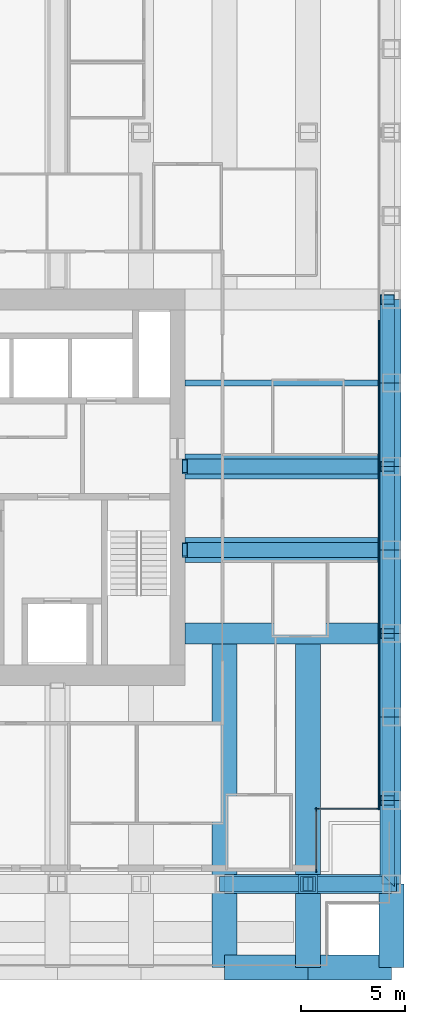
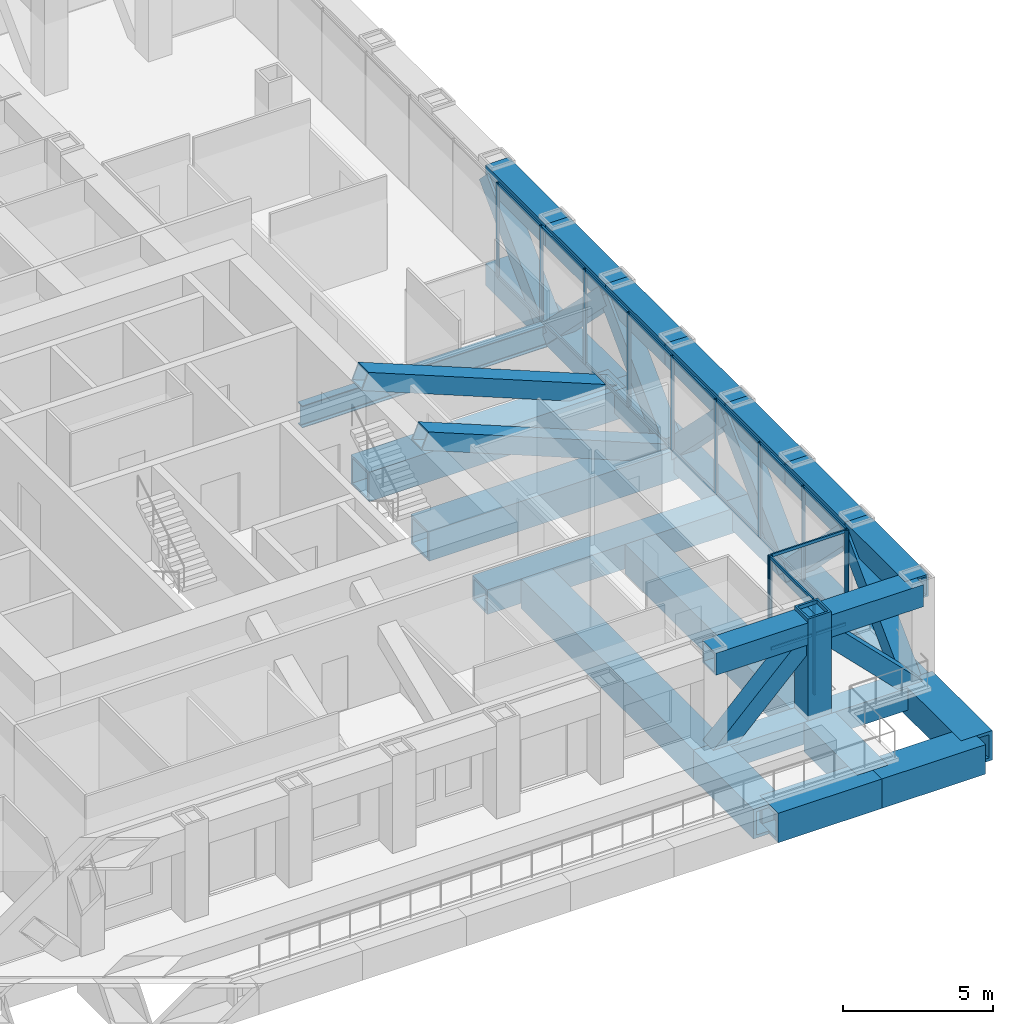
# One storey, part 5 of 16: 45 members, 28 beams, 3 elements without a shape of their own.
"""IFC4 building model written with IfcOpenShell, lengths in metres."""

from ifc_helpers import new_model, si_unit, direction, frame, origin, origin_2d, place, context, subcontext, project, spatial, rectangle, hollow_rectangle, i_section, extrude, material, material_profile, profile_set, type_object, element, aggregate, save


model = new_model("IFC4")

# Units and contexts
model_context = context("Model", 3, precision=1e-05, world=origin(), true_north=direction((0.0, 1.0)))
body_context = subcontext(model_context, "Body", "Model", "MODEL_VIEW")
ifc_project = project(units=[si_unit("LENGTHUNIT", "METRE"), si_unit("AREAUNIT", "SQUARE_METRE"), si_unit("VOLUMEUNIT", "CUBIC_METRE"), si_unit("PLANEANGLEUNIT", "RADIAN"), si_unit("MASSUNIT", "GRAM", prefix="KILO")], contexts=[model_context])

# Site, building, storey
site_placement = place(None, origin())
site = spatial("IfcSite", under=ifc_project, at=site_placement, CompositionType="ELEMENT")
building_placement = place(site_placement, origin())
building = spatial("IfcBuilding", under=site, at=building_placement, Name="Rimbunsela Tower", CompositionType="ELEMENT")
storey_placement = place(building_placement, frame((0.0, 0.0, 171.800048828125)))
storey = spatial("IfcBuildingStorey", under=building, at=storey_placement, Name="L41", CompositionType="ELEMENT", Elevation=171.800048828125)

# Beams
ifc_material_1 = material(Name="Steel BJ 55 (fy 410 MPa)", Category="steel")
ifc_material_profile_1 = material_profile(ifc_material_1, hollow_rectangle(XDim=1.0, YDim=1.0, WallThickness=0.10009765625, at=origin_2d()), Name="BOX 1000x1000x100")
ifc_profile_set_1 = profile_set([ifc_material_profile_1], Name="Steel BJ 55 (fy 410 MPa)")
beam_type_1 = type_object("IfcBeamType", Name="Beam BOX 1000x1000x100", PredefinedType="BEAM", material=ifc_profile_set_1)
beam_1_placement = place(storey_placement, frame((36.10009765625, 20.0, -0.650146484375), z_axis=(1.0, 0.0, 0.0), x_axis=(0.0, 1.0, 0.0)))
element("IfcBeam", 1, at=beam_1_placement, inside=storey, type_object=beam_type_1, Name="Beam B3 L41", PredefinedType="BEAM", context=body_context, shape_type="SweptSolid", body=[
    extrude(hollow_rectangle(XDim=1.0, YDim=1.0, WallThickness=0.10009765625, at=origin_2d()), origin(), (0.0, 0.0, 1.0), 9.89990234375),
])
ifc_material_2 = material(Name="Steel BJ 55 (fy 410 MPa)", Category="steel")
ifc_material_profile_2 = material_profile(ifc_material_2, hollow_rectangle(XDim=1.199951171875, YDim=1.199951171875, WallThickness=0.10009765625, at=origin_2d()), Name="BOX 1200x1200x100")
ifc_profile_set_2 = profile_set([ifc_material_profile_2], Name="Steel BJ 55 (fy 410 MPa)")
beam_type_2 = type_object("IfcBeamType", Name="Beam BOX 1200x1200x100", PredefinedType="BEAM", material=ifc_profile_set_2)
for number, where, z_axis, x_axis, name in (
    (2, (36.10009765625, 24.0, -0.75), (1.0, 0.0, 0.0), (0.0, 1.0, 0.0), "Beam B5 L41"),
    (3, (36.10009765625, 28.0, -0.75), (1.0, 0.0, 0.0), (0.0, 1.0, 0.0), "Beam B5 L41"),
):
    element("IfcBeam", number, at=place(storey_placement, frame(where, z_axis=z_axis, x_axis=x_axis)), inside=storey, type_object=beam_type_2, Name=name, PredefinedType="BEAM", context=body_context, shape_type="SweptSolid", body=[
        extrude(hollow_rectangle(XDim=1.199951171875, YDim=1.199951171875, WallThickness=0.10009765625, at=origin_2d()), origin(), (0.0, 0.0, 1.0), 9.89990234375),
    ])
beam_2_placement = place(storey_placement, frame((38.0, 8.0, -0.75), z_axis=(0.0, 1.0, 0.0), x_axis=(-1.0, 0.0, 0.0)))
element("IfcBeam", 4, at=beam_2_placement, inside=storey, type_object=beam_type_2, Name="Beam B5 L41", PredefinedType="BEAM", context=body_context, shape_type="SweptSolid", body=[
    extrude(hollow_rectangle(XDim=1.199951171875, YDim=1.199951171875, WallThickness=0.10009765625, at=origin_2d()), origin(), (0.0, 0.0, 1.0), 11.5),
])
ifc_material_3 = material(Name="Steel BJ 55 (fy 410 MPa)", Category="steel")
ifc_material_profile_3 = material_profile(ifc_material_3, hollow_rectangle(XDim=1.199951171875, YDim=1.199951171875, WallThickness=0.125, at=origin_2d()), Name="BOX 1200x1200x125")
ifc_profile_set_3 = profile_set([ifc_material_profile_3], Name="Steel BJ 55 (fy 410 MPa)")
beam_type_3 = type_object("IfcBeamType", Name="Beam BOX 1200x1200x125", PredefinedType="BEAM", material=ifc_profile_set_3)
for number, where, z_axis, x_axis, name in (
    (5, (38.0, 4.0, -0.75), (0.0, 1.0, 0.0), (-1.0, 0.0, 0.0), "Beam B4 L41"),
    (6, (38.0, 4.0, -0.75), (1.0, 0.0, 0.0), (0.0, 1.0, 0.0), "Beam B4 L41"),
):
    element("IfcBeam", number, at=place(storey_placement, frame(where, z_axis=z_axis, x_axis=x_axis)), inside=storey, type_object=beam_type_3, Name=name, PredefinedType="BEAM", context=body_context, shape_type="SweptSolid", body=[
        extrude(hollow_rectangle(XDim=1.199951171875, YDim=1.199951171875, WallThickness=0.125, at=origin_2d()), origin(), (0.0, 0.0, 1.0), 4.0),
    ])
beam_3_placement = place(storey_placement, frame((42.0, 4.0, -0.75), z_axis=(0.0, 1.0, 0.0), x_axis=(-1.0, 0.0, 0.0)))
element("IfcBeam", 7, at=beam_3_placement, inside=storey, type_object=beam_type_3, Name="Beam B4 L41", PredefinedType="BEAM", context=body_context, shape_type="SweptSolid", body=[
    extrude(hollow_rectangle(XDim=1.199951171875, YDim=1.199951171875, WallThickness=0.125, at=origin_2d()), origin(), (0.0, 0.0, 1.0), 3.550048828125),
])
beam_4_placement = place(storey_placement, frame((42.0, 4.0, -0.75), z_axis=(1.0, 0.0, 0.0), x_axis=(0.0, 1.0, 0.0)))
element("IfcBeam", 8, at=beam_4_placement, inside=storey, type_object=beam_type_3, Name="Beam B4 L41", PredefinedType="BEAM", context=body_context, shape_type="SweptSolid", body=[
    extrude(hollow_rectangle(XDim=1.199951171875, YDim=1.199951171875, WallThickness=0.125, at=origin_2d()), origin(), (0.0, 0.0, 1.0), 4.0),
])
beam_5_placement = place(storey_placement, frame((42.0, 8.449951171875, -0.75), z_axis=(0.0, 1.0, 0.0), x_axis=(-1.0, 0.0, 0.0)))
element("IfcBeam", 9, at=beam_5_placement, inside=storey, type_object=beam_type_3, Name="Beam B4 L41", PredefinedType="BEAM", context=body_context, shape_type="SweptSolid", body=[
    extrude(hollow_rectangle(XDim=1.199951171875, YDim=1.199951171875, WallThickness=0.125, at=origin_2d()), origin(), (0.0, 0.0, 1.0), 11.050048828125),
])
beam_6_placement = place(storey_placement, frame((46.0, 4.0, -0.75), z_axis=(0.0, 1.0, 0.0), x_axis=(-1.0, 0.0, 0.0)))
element("IfcBeam", 10, at=beam_6_placement, inside=storey, type_object=beam_type_3, Name="Beam B4 L41", PredefinedType="BEAM", context=body_context, shape_type="SweptSolid", body=[
    extrude(hollow_rectangle(XDim=1.199951171875, YDim=1.199951171875, WallThickness=0.125, at=origin_2d()), origin(), (0.0, 0.0, 1.0), 4.0),
])
ifc_material_4 = material(Name="Steel BJ 55 (fy 410 MPa)", Category="steel")
ifc_material_profile_4 = material_profile(ifc_material_4, i_section(OverallWidth=0.300048828125, OverallDepth=0.89990234375, WebThickness=0.01611328125, FlangeThickness=0.028076171875, FilletRadius=0.028076171875, at=origin_2d()), Name="H 900x300x16x28")
ifc_profile_set_4 = profile_set([ifc_material_profile_4], Name="Steel BJ 55 (fy 410 MPa)")
beam_type_4 = type_object("IfcBeamType", Name="Beam H 900x300x16x28", PredefinedType="BEAM", material=ifc_profile_set_4)
beam_7_placement = place(storey_placement, frame((36.10009765625, 32.0, -0.60009765625), z_axis=(1.0, 0.0, 0.0), x_axis=(0.0, 1.0, 0.0)))
element("IfcBeam", 11, at=beam_7_placement, inside=storey, type_object=beam_type_4, Name="Beam B2 L41", PredefinedType="BEAM", context=body_context, shape_type="SweptSolid", body=[
    extrude(i_section(OverallWidth=0.300048828125, OverallDepth=0.89990234375, WebThickness=0.01611328125, FlangeThickness=0.028076171875, FilletRadius=0.028076171875, at=origin_2d()), origin(), (0.0, 0.0, 1.0), 9.89990234375),
])

# Curtain wall, members
ifc_material_5 = material(Name="Aluminium curtain wall", Category="aluminium")
curtain_wall_type_1 = type_object("IfcCurtainWallType", Name="Corner glazing", PredefinedType="USERDEFINED", material=ifc_material_5)
curtain_wall_1_placement = place(storey_placement, origin())
curtain_wall_1 = element("IfcCurtainWall", 12, at=curtain_wall_1_placement, inside=storey, type_object=curtain_wall_type_1, Name="Corner glazing L41", ObjectType="CORNER GLAZING", PredefinedType="USERDEFINED")
ifc_material_6 = material(Name="Aluminium mullion", Category="aluminium")
ifc_material_profile_5 = material_profile(ifc_material_6, rectangle(XDim=0.06005859375, YDim=0.159912109375, at=origin_2d()), Name="Mullion 60x160")
ifc_profile_set_5 = profile_set([ifc_material_profile_5], Name="Aluminium mullion")
member_type_1 = type_object("IfcMemberType", Name="Curtain wall mullion 60x160", PredefinedType="MULLION", material=ifc_profile_set_5)
member_1_placement = place(storey_placement, frame((42.39990234375, 8.6298828125, 0.0), z_axis=(0.0, 0.0, 1.0), x_axis=(-1.0, 0.0, 0.0)))
member_1 = element("IfcMember", 13, at=member_1_placement, type_object=member_type_1, Name="CW5 mullion 1", PredefinedType="MULLION", context=body_context, shape_type="SweptSolid", body=[
    extrude(rectangle(XDim=0.06005859375, YDim=0.159912109375, at=origin_2d()), origin(), (0.0, 0.0, 1.0), 3.849853515625),
])
member_2_placement = place(storey_placement, frame((42.39990234375, 11.570068359375, 0.0), z_axis=(0.0, 0.0, 1.0), x_axis=(-1.0, 0.0, 0.0)))
member_2 = element("IfcMember", 14, at=member_2_placement, type_object=member_type_1, Name="CW5 mullion 2", PredefinedType="MULLION", context=body_context, shape_type="SweptSolid", body=[
    extrude(rectangle(XDim=0.06005859375, YDim=0.159912109375, at=origin_2d()), origin(), (0.0, 0.0, 1.0), 3.849853515625),
])

curtain_wall_2_placement = place(storey_placement, origin())
curtain_wall_2 = element("IfcCurtainWall", 15, at=curtain_wall_2_placement, inside=storey, type_object=curtain_wall_type_1, Name="Corner glazing L41", ObjectType="CORNER GLAZING", PredefinedType="USERDEFINED")
member_3_placement = place(storey_placement, frame((42.429931640625, 11.60009765625, 0.0), z_axis=(0.0, 0.0, 1.0), x_axis=(0.0, 1.0, 0.0)))
member_3 = element("IfcMember", 16, at=member_3_placement, type_object=member_type_1, Name="CW5 mullion 1", PredefinedType="MULLION", context=body_context, shape_type="SweptSolid", body=[
    extrude(rectangle(XDim=0.06005859375, YDim=0.159912109375, at=origin_2d()), origin(), (0.0, 0.0, 1.0), 3.849853515625),
])
member_4_placement = place(storey_placement, frame((45.3701171875, 11.60009765625, 0.0), z_axis=(0.0, 0.0, 1.0), x_axis=(0.0, 1.0, 0.0)))
member_4 = element("IfcMember", 17, at=member_4_placement, type_object=member_type_1, Name="CW5 mullion 2", PredefinedType="MULLION", context=body_context, shape_type="SweptSolid", body=[
    extrude(rectangle(XDim=0.06005859375, YDim=0.159912109375, at=origin_2d()), origin(), (0.0, 0.0, 1.0), 3.849853515625),
])

ifc_material_7 = material(Name="Aluminium curtain wall", Category="aluminium")
curtain_wall_type_2 = type_object("IfcCurtainWallType", Name="Exoskeleton storey infill", PredefinedType="USERDEFINED", material=ifc_material_7)
curtain_wall_3_placement = place(storey_placement, origin())
curtain_wall_3 = element("IfcCurtainWall", 18, at=curtain_wall_3_placement, inside=storey, type_object=curtain_wall_type_2, Name="Exoskeleton storey infill L41", ObjectType="EXOSKELETON STOREY INFILL", PredefinedType="USERDEFINED")
member_5_placement = place(storey_placement, frame((45.39990234375, 11.6298828125, 0.0), z_axis=(0.0, 0.0, 1.0), x_axis=(-1.0, 0.0, 0.0)))
member_5 = element("IfcMember", 19, at=member_5_placement, type_object=member_type_1, Name="CW2 mullion 1", PredefinedType="MULLION", context=body_context, shape_type="SweptSolid", body=[
    extrude(rectangle(XDim=0.06005859375, YDim=0.159912109375, at=origin_2d()), origin(), (0.0, 0.0, 1.0), 3.849853515625),
])
member_6_placement = place(storey_placement, frame((45.39990234375, 14.514404296875, 0.0), z_axis=(0.0, 0.0, 1.0), x_axis=(-1.0, 0.0, 0.0)))
member_6 = element("IfcMember", 20, at=member_6_placement, type_object=member_type_1, Name="CW2 mullion 2", PredefinedType="MULLION", context=body_context, shape_type="SweptSolid", body=[
    extrude(rectangle(XDim=0.06005859375, YDim=0.159912109375, at=origin_2d()), origin(), (0.0, 0.0, 1.0), 3.849853515625),
])
member_7_placement = place(storey_placement, frame((45.39990234375, 17.428466796875, 0.0), z_axis=(0.0, 0.0, 1.0), x_axis=(-1.0, 0.0, 0.0)))
member_7 = element("IfcMember", 21, at=member_7_placement, type_object=member_type_1, Name="CW2 mullion 3", PredefinedType="MULLION", context=body_context, shape_type="SweptSolid", body=[
    extrude(rectangle(XDim=0.06005859375, YDim=0.159912109375, at=origin_2d()), origin(), (0.0, 0.0, 1.0), 3.849853515625),
])
member_8_placement = place(storey_placement, frame((45.39990234375, 20.3427734375, 0.0), z_axis=(0.0, 0.0, 1.0), x_axis=(-1.0, 0.0, 0.0)))
member_8 = element("IfcMember", 22, at=member_8_placement, type_object=member_type_1, Name="CW2 mullion 4", PredefinedType="MULLION", context=body_context, shape_type="SweptSolid", body=[
    extrude(rectangle(XDim=0.06005859375, YDim=0.159912109375, at=origin_2d()), origin(), (0.0, 0.0, 1.0), 3.849853515625),
])
member_9_placement = place(storey_placement, frame((45.39990234375, 23.257080078125, 0.0), z_axis=(0.0, 0.0, 1.0), x_axis=(-1.0, 0.0, 0.0)))
member_9 = element("IfcMember", 23, at=member_9_placement, type_object=member_type_1, Name="CW2 mullion 5", PredefinedType="MULLION", context=body_context, shape_type="SweptSolid", body=[
    extrude(rectangle(XDim=0.06005859375, YDim=0.159912109375, at=origin_2d()), origin(), (0.0, 0.0, 1.0), 3.849853515625),
])
member_10_placement = place(storey_placement, frame((45.39990234375, 26.17138671875, 0.0), z_axis=(0.0, 0.0, 1.0), x_axis=(-1.0, 0.0, 0.0)))
member_10 = element("IfcMember", 24, at=member_10_placement, type_object=member_type_1, Name="CW2 mullion 6", PredefinedType="MULLION", context=body_context, shape_type="SweptSolid", body=[
    extrude(rectangle(XDim=0.06005859375, YDim=0.159912109375, at=origin_2d()), origin(), (0.0, 0.0, 1.0), 3.849853515625),
])
member_11_placement = place(storey_placement, frame((45.39990234375, 29.085693359375, 0.0), z_axis=(0.0, 0.0, 1.0), x_axis=(-1.0, 0.0, 0.0)))
member_11 = element("IfcMember", 25, at=member_11_placement, type_object=member_type_1, Name="CW2 mullion 7", PredefinedType="MULLION", context=body_context, shape_type="SweptSolid", body=[
    extrude(rectangle(XDim=0.06005859375, YDim=0.159912109375, at=origin_2d()), origin(), (0.0, 0.0, 1.0), 3.849853515625),
])
member_12_placement = place(storey_placement, frame((45.39990234375, 32.0, 0.0), z_axis=(0.0, 0.0, 1.0), x_axis=(-1.0, 0.0, 0.0)))
member_12 = element("IfcMember", 26, at=member_12_placement, type_object=member_type_1, Name="CW2 mullion 8", PredefinedType="MULLION", context=body_context, shape_type="SweptSolid", body=[
    extrude(rectangle(XDim=0.06005859375, YDim=0.159912109375, at=origin_2d()), origin(), (0.0, 0.0, 1.0), 3.849853515625),
])
member_13_placement = place(storey_placement, frame((45.39990234375, 34.914306640625, 0.0), z_axis=(0.0, 0.0, 1.0), x_axis=(-1.0, 0.0, 0.0)))
member_13 = element("IfcMember", 27, at=member_13_placement, type_object=member_type_1, Name="CW2 mullion 9", PredefinedType="MULLION", context=body_context, shape_type="SweptSolid", body=[
    extrude(rectangle(XDim=0.06005859375, YDim=0.159912109375, at=origin_2d()), origin(), (0.0, 0.0, 1.0), 3.849853515625),
])

# Member
ifc_material_8 = material(Name="Aluminium transom", Category="aluminium")
ifc_material_profile_6 = material_profile(ifc_material_8, rectangle(XDim=0.06005859375, YDim=0.1201171875, at=origin_2d()), Name="Transom 60x120")
ifc_profile_set_6 = profile_set([ifc_material_profile_6], Name="Aluminium transom")
member_type_2 = type_object("IfcMemberType", Name="Curtain wall transom 60x120", PredefinedType="USERDEFINED", material=ifc_profile_set_6)
member_14_placement = place(storey_placement, frame((42.39990234375, 8.659912109375, 0.030029296875), z_axis=(0.0, 1.0, 0.0), x_axis=(-1.0, 0.0, 0.0)))
member_14 = element("IfcMember", 28, at=member_14_placement, type_object=member_type_2, Name="CW5 transom 1.1", ObjectType="TRANSOM", PredefinedType="USERDEFINED", context=body_context, shape_type="SweptSolid", body=[
    extrude(rectangle(XDim=0.06005859375, YDim=0.1201171875, at=origin_2d()), origin(), (0.0, 0.0, 1.0), 2.880126953125),
])

member_15_placement = place(storey_placement, frame((42.39990234375, 8.659912109375, 3.820068359375), z_axis=(0.0, 1.0, 0.0), x_axis=(-1.0, 0.0, 0.0)))
member_15 = element("IfcMember", 29, at=member_15_placement, type_object=member_type_2, Name="CW5 transom 1.2", ObjectType="TRANSOM", PredefinedType="USERDEFINED", context=body_context, shape_type="SweptSolid", body=[
    extrude(rectangle(XDim=0.06005859375, YDim=0.1201171875, at=origin_2d()), origin(), (0.0, 0.0, 1.0), 2.880126953125),
])

aggregate(curtain_wall_1, [member_1, member_2, member_14, member_15])

member_16_placement = place(storey_placement, frame((42.4599609375, 11.60009765625, 0.030029296875), z_axis=(1.0, 0.0, 0.0), x_axis=(0.0, 1.0, 0.0)))
member_16 = element("IfcMember", 30, at=member_16_placement, type_object=member_type_2, Name="CW5 transom 1.1", ObjectType="TRANSOM", PredefinedType="USERDEFINED", context=body_context, shape_type="SweptSolid", body=[
    extrude(rectangle(XDim=0.06005859375, YDim=0.1201171875, at=origin_2d()), origin(), (0.0, 0.0, 1.0), 2.880126953125),
])

member_17_placement = place(storey_placement, frame((42.4599609375, 11.60009765625, 3.820068359375), z_axis=(1.0, 0.0, 0.0), x_axis=(0.0, 1.0, 0.0)))
member_17 = element("IfcMember", 31, at=member_17_placement, type_object=member_type_2, Name="CW5 transom 1.2", ObjectType="TRANSOM", PredefinedType="USERDEFINED", context=body_context, shape_type="SweptSolid", body=[
    extrude(rectangle(XDim=0.06005859375, YDim=0.1201171875, at=origin_2d()), origin(), (0.0, 0.0, 1.0), 2.880126953125),
])

aggregate(curtain_wall_2, [member_3, member_4, member_16, member_17])

member_18_placement = place(storey_placement, frame((45.39990234375, 11.659912109375, 0.030029296875), z_axis=(0.0, 1.0, 0.0), x_axis=(-1.0, 0.0, 0.0)))
member_18 = element("IfcMember", 32, at=member_18_placement, type_object=member_type_2, Name="CW2 transom 1.1", ObjectType="TRANSOM", PredefinedType="USERDEFINED", context=body_context, shape_type="SweptSolid", body=[
    extrude(rectangle(XDim=0.06005859375, YDim=0.1201171875, at=origin_2d()), origin(), (0.0, 0.0, 1.0), 2.824462890625),
])

member_19_placement = place(storey_placement, frame((45.39990234375, 11.659912109375, 3.820068359375), z_axis=(0.0, 1.0, 0.0), x_axis=(-1.0, 0.0, 0.0)))
member_19 = element("IfcMember", 33, at=member_19_placement, type_object=member_type_2, Name="CW2 transom 1.2", ObjectType="TRANSOM", PredefinedType="USERDEFINED", context=body_context, shape_type="SweptSolid", body=[
    extrude(rectangle(XDim=0.06005859375, YDim=0.1201171875, at=origin_2d()), origin(), (0.0, 0.0, 1.0), 2.824462890625),
])

member_20_placement = place(storey_placement, frame((45.39990234375, 14.544189453125, 0.030029296875), z_axis=(0.0, 1.0, 0.0), x_axis=(-1.0, 0.0, 0.0)))
member_20 = element("IfcMember", 34, at=member_20_placement, type_object=member_type_2, Name="CW2 transom 2.1", ObjectType="TRANSOM", PredefinedType="USERDEFINED", context=body_context, shape_type="SweptSolid", body=[
    extrude(rectangle(XDim=0.06005859375, YDim=0.1201171875, at=origin_2d()), origin(), (0.0, 0.0, 1.0), 2.8544921875),
])

member_21_placement = place(storey_placement, frame((45.39990234375, 14.544189453125, 3.820068359375), z_axis=(0.0, 1.0, 0.0), x_axis=(-1.0, 0.0, 0.0)))
member_21 = element("IfcMember", 35, at=member_21_placement, type_object=member_type_2, Name="CW2 transom 2.2", ObjectType="TRANSOM", PredefinedType="USERDEFINED", context=body_context, shape_type="SweptSolid", body=[
    extrude(rectangle(XDim=0.06005859375, YDim=0.1201171875, at=origin_2d()), origin(), (0.0, 0.0, 1.0), 2.8544921875),
])

member_22_placement = place(storey_placement, frame((45.39990234375, 17.45849609375, 0.030029296875), z_axis=(0.0, 1.0, 0.0), x_axis=(-1.0, 0.0, 0.0)))
member_22 = element("IfcMember", 36, at=member_22_placement, type_object=member_type_2, Name="CW2 transom 3.1", ObjectType="TRANSOM", PredefinedType="USERDEFINED", context=body_context, shape_type="SweptSolid", body=[
    extrude(rectangle(XDim=0.06005859375, YDim=0.1201171875, at=origin_2d()), origin(), (0.0, 0.0, 1.0), 2.854248046875),
])

member_23_placement = place(storey_placement, frame((45.39990234375, 17.45849609375, 3.820068359375), z_axis=(0.0, 1.0, 0.0), x_axis=(-1.0, 0.0, 0.0)))
member_23 = element("IfcMember", 37, at=member_23_placement, type_object=member_type_2, Name="CW2 transom 3.2", ObjectType="TRANSOM", PredefinedType="USERDEFINED", context=body_context, shape_type="SweptSolid", body=[
    extrude(rectangle(XDim=0.06005859375, YDim=0.1201171875, at=origin_2d()), origin(), (0.0, 0.0, 1.0), 2.854248046875),
])

member_24_placement = place(storey_placement, frame((45.39990234375, 20.372802734375, 0.030029296875), z_axis=(0.0, 1.0, 0.0), x_axis=(-1.0, 0.0, 0.0)))
member_24 = element("IfcMember", 38, at=member_24_placement, type_object=member_type_2, Name="CW2 transom 4.1", ObjectType="TRANSOM", PredefinedType="USERDEFINED", context=body_context, shape_type="SweptSolid", body=[
    extrude(rectangle(XDim=0.06005859375, YDim=0.1201171875, at=origin_2d()), origin(), (0.0, 0.0, 1.0), 2.854248046875),
])

member_25_placement = place(storey_placement, frame((45.39990234375, 20.372802734375, 3.820068359375), z_axis=(0.0, 1.0, 0.0), x_axis=(-1.0, 0.0, 0.0)))
member_25 = element("IfcMember", 39, at=member_25_placement, type_object=member_type_2, Name="CW2 transom 4.2", ObjectType="TRANSOM", PredefinedType="USERDEFINED", context=body_context, shape_type="SweptSolid", body=[
    extrude(rectangle(XDim=0.06005859375, YDim=0.1201171875, at=origin_2d()), origin(), (0.0, 0.0, 1.0), 2.854248046875),
])

member_26_placement = place(storey_placement, frame((45.39990234375, 23.287109375, 0.030029296875), z_axis=(0.0, 1.0, 0.0), x_axis=(-1.0, 0.0, 0.0)))
member_26 = element("IfcMember", 40, at=member_26_placement, type_object=member_type_2, Name="CW2 transom 5.1", ObjectType="TRANSOM", PredefinedType="USERDEFINED", context=body_context, shape_type="SweptSolid", body=[
    extrude(rectangle(XDim=0.06005859375, YDim=0.1201171875, at=origin_2d()), origin(), (0.0, 0.0, 1.0), 2.854248046875),
])

member_27_placement = place(storey_placement, frame((45.39990234375, 23.287109375, 3.820068359375), z_axis=(0.0, 1.0, 0.0), x_axis=(-1.0, 0.0, 0.0)))
member_27 = element("IfcMember", 41, at=member_27_placement, type_object=member_type_2, Name="CW2 transom 5.2", ObjectType="TRANSOM", PredefinedType="USERDEFINED", context=body_context, shape_type="SweptSolid", body=[
    extrude(rectangle(XDim=0.06005859375, YDim=0.1201171875, at=origin_2d()), origin(), (0.0, 0.0, 1.0), 2.854248046875),
])

member_28_placement = place(storey_placement, frame((45.39990234375, 26.201416015625, 0.030029296875), z_axis=(0.0, 1.0, 0.0), x_axis=(-1.0, 0.0, 0.0)))
member_28 = element("IfcMember", 42, at=member_28_placement, type_object=member_type_2, Name="CW2 transom 6.1", ObjectType="TRANSOM", PredefinedType="USERDEFINED", context=body_context, shape_type="SweptSolid", body=[
    extrude(rectangle(XDim=0.06005859375, YDim=0.1201171875, at=origin_2d()), origin(), (0.0, 0.0, 1.0), 2.854248046875),
])

member_29_placement = place(storey_placement, frame((45.39990234375, 26.201416015625, 3.820068359375), z_axis=(0.0, 1.0, 0.0), x_axis=(-1.0, 0.0, 0.0)))
member_29 = element("IfcMember", 43, at=member_29_placement, type_object=member_type_2, Name="CW2 transom 6.2", ObjectType="TRANSOM", PredefinedType="USERDEFINED", context=body_context, shape_type="SweptSolid", body=[
    extrude(rectangle(XDim=0.06005859375, YDim=0.1201171875, at=origin_2d()), origin(), (0.0, 0.0, 1.0), 2.854248046875),
])

member_30_placement = place(storey_placement, frame((45.39990234375, 29.11572265625, 0.030029296875), z_axis=(0.0, 1.0, 0.0), x_axis=(-1.0, 0.0, 0.0)))
member_30 = element("IfcMember", 44, at=member_30_placement, type_object=member_type_2, Name="CW2 transom 7.1", ObjectType="TRANSOM", PredefinedType="USERDEFINED", context=body_context, shape_type="SweptSolid", body=[
    extrude(rectangle(XDim=0.06005859375, YDim=0.1201171875, at=origin_2d()), origin(), (0.0, 0.0, 1.0), 2.854248046875),
])

member_31_placement = place(storey_placement, frame((45.39990234375, 29.11572265625, 3.820068359375), z_axis=(0.0, 1.0, 0.0), x_axis=(-1.0, 0.0, 0.0)))
member_31 = element("IfcMember", 45, at=member_31_placement, type_object=member_type_2, Name="CW2 transom 7.2", ObjectType="TRANSOM", PredefinedType="USERDEFINED", context=body_context, shape_type="SweptSolid", body=[
    extrude(rectangle(XDim=0.06005859375, YDim=0.1201171875, at=origin_2d()), origin(), (0.0, 0.0, 1.0), 2.854248046875),
])

member_32_placement = place(storey_placement, frame((45.39990234375, 32.030029296875, 0.030029296875), z_axis=(0.0, 1.0, 0.0), x_axis=(-1.0, 0.0, 0.0)))
member_32 = element("IfcMember", 46, at=member_32_placement, type_object=member_type_2, Name="CW2 transom 8.1", ObjectType="TRANSOM", PredefinedType="USERDEFINED", context=body_context, shape_type="SweptSolid", body=[
    extrude(rectangle(XDim=0.06005859375, YDim=0.1201171875, at=origin_2d()), origin(), (0.0, 0.0, 1.0), 2.854248046875),
])

member_33_placement = place(storey_placement, frame((45.39990234375, 32.030029296875, 3.820068359375), z_axis=(0.0, 1.0, 0.0), x_axis=(-1.0, 0.0, 0.0)))
member_33 = element("IfcMember", 47, at=member_33_placement, type_object=member_type_2, Name="CW2 transom 8.2", ObjectType="TRANSOM", PredefinedType="USERDEFINED", context=body_context, shape_type="SweptSolid", body=[
    extrude(rectangle(XDim=0.06005859375, YDim=0.1201171875, at=origin_2d()), origin(), (0.0, 0.0, 1.0), 2.854248046875),
])

aggregate(curtain_wall_3, [member_5, member_6, member_7, member_8, member_9, member_10, member_11, member_12, member_13, member_18, member_19, member_20, member_21, member_22, member_23, member_24, member_25, member_26, member_27, member_28, member_29, member_30, member_31, member_32, member_33])

# Members
ifc_material_9 = material(Name="Steel BJ 55 (fy 410 MPa)", Category="steel")
ifc_material_profile_7 = material_profile(ifc_material_9, hollow_rectangle(XDim=0.699951171875, YDim=0.699951171875, WallThickness=0.050048828125, at=origin_2d()), Name="BOX 700x700x50")
ifc_profile_set_7 = profile_set([ifc_material_profile_7], Name="Steel BJ 55 (fy 410 MPa)")
member_type_3 = type_object("IfcMemberType", Name="Outrigger brace BOX 700x700x50", PredefinedType="BRACE", material=ifc_profile_set_7)
for number, where, z_axis, x_axis, name in (
    (48, (46.0, 28.0, -0.60009765625), (-0.927178005054, 0.0, 0.374621071142), (0.0, -1.0, 0.0), "Outrigger brace OB2 E L41"),
    (49, (46.0, 24.0, -0.60009765625), (-0.927178005054, 0.0, 0.374621071142), (0.0, -1.0, 0.0), "Outrigger brace OB2 E L41"),
):
    element("IfcMember", number, at=place(storey_placement, frame(where, z_axis=z_axis, x_axis=x_axis)), inside=storey, type_object=member_type_3, Name=name, PredefinedType="BRACE", context=body_context, shape_type="SweptSolid", body=[
        extrude(hollow_rectangle(XDim=0.699951171875, YDim=0.699951171875, WallThickness=0.050048828125, at=origin_2d()), origin(), (0.0, 0.0, 1.0), 10.677490234375),
    ])

# Beams
ifc_material_10 = material(Name="Steel BJ 55 (fy 410 MPa)", Category="steel")
ifc_material_profile_8 = material_profile(ifc_material_10, hollow_rectangle(XDim=0.89990234375, YDim=0.89990234375, WallThickness=0.080078125, at=origin_2d()), Name="BOX 900x900x80")
ifc_profile_set_8 = profile_set([ifc_material_profile_8], Name="Steel BJ 55 (fy 410 MPa)")
beam_type_5 = type_object("IfcBeamType", Name="Truss chord BOX 900x900x80", PredefinedType="USERDEFINED", material=ifc_profile_set_8)
for number, where, z_axis, x_axis, name in (
    (50, (38.0, 8.0, 3.39990234375), (1.0, 0.0, 0.0), (0.0, 1.0, 0.0), "Truss top chord TC3 S face L41"),
    (51, (42.0, 8.0, 3.39990234375), (1.0, 0.0, 0.0), (0.0, 1.0, 0.0), "Truss top chord TC3 S face L41"),
    (52, (46.0, 8.0, 3.39990234375), (0.0, 1.0, 0.0), (-1.0, 0.0, 0.0), "Truss top chord TC3 E face L41"),
    (53, (46.0, 12.0, 3.39990234375), (0.0, 1.0, 0.0), (-1.0, 0.0, 0.0), "Truss top chord TC3 E face L41"),
    (54, (46.0, 16.0, 3.39990234375), (0.0, 1.0, 0.0), (-1.0, 0.0, 0.0), "Truss top chord TC3 E face L41"),
    (55, (46.0, 20.0, 3.39990234375), (0.0, 1.0, 0.0), (-1.0, 0.0, 0.0), "Truss top chord TC3 E face L41"),
    (56, (46.0, 24.0, 3.39990234375), (0.0, 1.0, 0.0), (-1.0, 0.0, 0.0), "Truss top chord TC3 E face L41"),
    (57, (46.0, 28.0, 3.39990234375), (0.0, 1.0, 0.0), (-1.0, 0.0, 0.0), "Truss top chord TC3 E face L41"),
    (58, (46.0, 32.0, 3.39990234375), (0.0, 1.0, 0.0), (-1.0, 0.0, 0.0), "Truss top chord TC3 E face L41"),
):
    element("IfcBeam", number, at=place(storey_placement, frame(where, z_axis=z_axis, x_axis=x_axis)), inside=storey, type_object=beam_type_5, Name=name, ObjectType="TRUSS CHORD", PredefinedType="USERDEFINED", context=body_context, shape_type="SweptSolid", body=[
        extrude(hollow_rectangle(XDim=0.89990234375, YDim=0.89990234375, WallThickness=0.080078125, at=origin_2d()), origin(), (0.0, 0.0, 1.0), 4.0),
    ])
beam_8_placement = place(storey_placement, frame((38.0, 8.0, -0.60009765625), z_axis=(1.0, 0.0, 0.0), x_axis=(0.0, 1.0, 0.0)))
element("IfcBeam", 59, at=beam_8_placement, inside=storey, type_object=beam_type_5, Name="Truss bottom chord TC3 S face L41", ObjectType="TRUSS CHORD", PredefinedType="USERDEFINED", context=body_context, shape_type="SweptSolid", body=[
    extrude(hollow_rectangle(XDim=0.89990234375, YDim=0.89990234375, WallThickness=0.080078125, at=origin_2d()), origin(), (0.0, 0.0, 1.0), 8.0),
])
for number, where, z_axis, x_axis, name in (
    (60, (46.0, 8.0, -0.60009765625), (0.0, 1.0, 0.0), (-1.0, 0.0, 0.0), "Truss bottom chord TC3 E face L41"),
    (61, (46.0, 12.0, -0.60009765625), (0.0, 1.0, 0.0), (-1.0, 0.0, 0.0), "Truss bottom chord TC3 E face L41"),
    (62, (46.0, 16.0, -0.60009765625), (0.0, 1.0, 0.0), (-1.0, 0.0, 0.0), "Truss bottom chord TC3 E face L41"),
    (63, (46.0, 20.0, -0.60009765625), (0.0, 1.0, 0.0), (-1.0, 0.0, 0.0), "Truss bottom chord TC3 E face L41"),
    (64, (46.0, 24.0, -0.60009765625), (0.0, 1.0, 0.0), (-1.0, 0.0, 0.0), "Truss bottom chord TC3 E face L41"),
    (65, (46.0, 28.0, -0.60009765625), (0.0, 1.0, 0.0), (-1.0, 0.0, 0.0), "Truss bottom chord TC3 E face L41"),
    (66, (46.0, 32.0, -0.60009765625), (0.0, 1.0, 0.0), (-1.0, 0.0, 0.0), "Truss bottom chord TC3 E face L41"),
):
    element("IfcBeam", number, at=place(storey_placement, frame(where, z_axis=z_axis, x_axis=x_axis)), inside=storey, type_object=beam_type_5, Name=name, ObjectType="TRUSS CHORD", PredefinedType="USERDEFINED", context=body_context, shape_type="SweptSolid", body=[
        extrude(hollow_rectangle(XDim=0.89990234375, YDim=0.89990234375, WallThickness=0.080078125, at=origin_2d()), origin(), (0.0, 0.0, 1.0), 4.0),
    ])

# Members
ifc_material_11 = material(Name="Steel BJ 55 (fy 410 MPa)", Category="steel")
ifc_material_profile_9 = material_profile(ifc_material_11, hollow_rectangle(XDim=0.699951171875, YDim=0.699951171875, WallThickness=0.0400390625, at=origin_2d()), Name="BOX 700x700x40")
ifc_profile_set_9 = profile_set([ifc_material_profile_9], Name="Steel BJ 55 (fy 410 MPa)")
member_type_4 = type_object("IfcMemberType", Name="Truss diagonal BOX 700x700x40", PredefinedType="BRACE", material=ifc_profile_set_9)
for number, where, z_axis, x_axis, name in (
    (67, (38.0, 8.0, -0.60009765625), (0.707106781187, 0.0, 0.707106781187), (0.0, 1.0, 0.0), "Truss diagonal TD3 S face L41"),
    (68, (42.0, 8.0, 3.39990234375), (0.707106781187, 0.0, -0.707106781187), (0.0, 1.0, 0.0), "Truss diagonal TD3 S face L41"),
    (69, (45.800048828125, 8.0, -0.60009765625), (0.0, 0.707106781187, 0.707106781187), (-1.0, 0.0, 0.0), "Truss diagonal TD3 E face L41"),
    (70, (45.800048828125, 12.0, 3.39990234375), (0.0, 0.707106781187, -0.707106781187), (-1.0, 0.0, 0.0), "Truss diagonal TD3 E face L41"),
    (71, (45.800048828125, 16.0, -0.60009765625), (0.0, 0.707106781187, 0.707106781187), (-1.0, 0.0, 0.0), "Truss diagonal TD3 E face L41"),
    (72, (45.800048828125, 20.0, 3.39990234375), (0.0, 0.707106781187, -0.707106781187), (-1.0, 0.0, 0.0), "Truss diagonal TD3 E face L41"),
    (73, (45.800048828125, 24.0, -0.60009765625), (0.0, 0.707106781187, 0.707106781187), (-1.0, 0.0, 0.0), "Truss diagonal TD3 E face L41"),
    (74, (45.800048828125, 28.0, 3.39990234375), (0.0, 0.707106781187, -0.707106781187), (-1.0, 0.0, 0.0), "Truss diagonal TD3 E face L41"),
    (75, (45.800048828125, 32.0, -0.60009765625), (0.0, 0.707106781187, 0.707106781187), (-1.0, 0.0, 0.0), "Truss diagonal TD3 E face L41"),
):
    element("IfcMember", number, at=place(storey_placement, frame(where, z_axis=z_axis, x_axis=x_axis)), inside=storey, type_object=member_type_4, Name=name, PredefinedType="BRACE", context=body_context, shape_type="SweptSolid", body=[
        extrude(hollow_rectangle(XDim=0.699951171875, YDim=0.699951171875, WallThickness=0.0400390625, at=origin_2d()), origin(), (0.0, 0.0, 1.0), 5.65673828125),
    ])
ifc_material_12 = material(Name="Steel BJ 55 (fy 410 MPa)", Category="steel")
ifc_material_profile_10 = material_profile(ifc_material_12, hollow_rectangle(XDim=0.89990234375, YDim=0.89990234375, WallThickness=0.080078125, at=origin_2d()), Name="BOX 900x900x80")
ifc_profile_set_10 = profile_set([ifc_material_profile_10], Name="Steel BJ 55 (fy 410 MPa)")
member_type_5 = type_object("IfcMemberType", Name="Truss post BOX 900x900x80", PredefinedType="POST", material=ifc_profile_set_10)
member_34_placement = place(storey_placement, frame((42.0, 8.0, -0.60009765625), z_axis=(0.0, 0.0, 1.0), x_axis=(1.0, 0.0, 0.0)))
element("IfcMember", 76, at=member_34_placement, inside=storey, type_object=member_type_5, Name="Truss post TP3 13/D L41", PredefinedType="POST", context=body_context, shape_type="SweptSolid", body=[
    extrude(hollow_rectangle(XDim=0.89990234375, YDim=0.89990234375, WallThickness=0.080078125, at=origin_2d()), origin(), (0.0, 0.0, 1.0), 4.60009765625),
])

save(model, "model.ifc")
